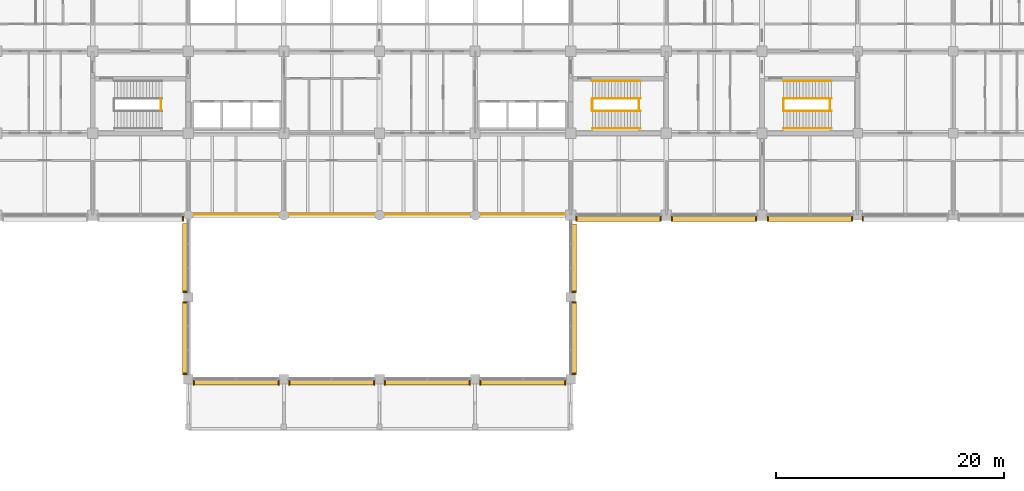
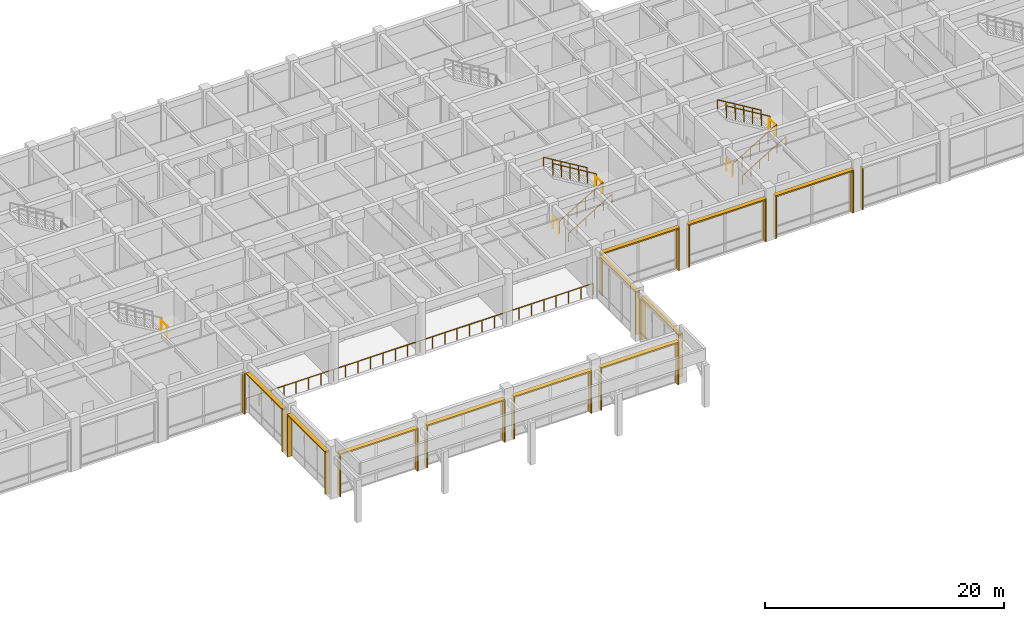
# One storey, part 65 of 68: 33 shading devices, 14 railings.
"""IFC4 building model written with IfcOpenShell, lengths in metres."""

from ifc_helpers import new_model, si_unit, direction, frame, origin, origin_2d, place, context, subcontext, project, spatial, rectangle, circle, extrude, material, type_object, element, save


model = new_model("IFC4")

# Units and contexts
model_context = context("Model", 3, precision=1e-05, world=origin(), true_north=direction((0.0, 1.0)))
body_context = subcontext(model_context, "Body", "Model", "MODEL_VIEW")
ifc_project = project(units=[si_unit("LENGTHUNIT", "METRE"), si_unit("AREAUNIT", "SQUARE_METRE"), si_unit("VOLUMEUNIT", "CUBIC_METRE"), si_unit("PLANEANGLEUNIT", "RADIAN"), si_unit("MASSUNIT", "GRAM", prefix="KILO")], contexts=[model_context])

# Site, building, storey
site_placement = place(None, origin())
site = spatial("IfcSite", under=ifc_project, at=site_placement, CompositionType="ELEMENT")
building_placement = place(site_placement, origin())
building = spatial("IfcBuilding", under=site, at=building_placement, Name="Chengyuan Square Courthouse", CompositionType="ELEMENT")
storey_placement = place(building_placement, frame((0.0, 0.0, 5.39990234375)))
storey = spatial("IfcBuildingStorey", under=building, at=storey_placement, Name="L02", CompositionType="ELEMENT", Elevation=5.39990234375)

# Railings
ifc_material_1 = material(Name="Tempered Glass and Timber Top-Rail Balustrade", Category="wood")
railing_type_1 = type_object("IfcRailingType", Name="RL-02", PredefinedType="BALUSTRADE", material=ifc_material_1)
for number, where, name in (
    (1, (64.7900390625, 88.39990234375, 2.7001953125), "Stair Landing Guard ST-3-L02"),
    (2, (102.68994140625, 88.39990234375, 0.0), "Stair Floor Slot Guard ST-4 L02"),
    (3, (106.7900390625, 88.39990234375, 2.7001953125), "Stair Landing Guard ST-4-L02"),
):
    element("IfcRailing", number, at=place(storey_placement, frame(where)), inside=storey, type_object=railing_type_1, Name=name, PredefinedType="BALUSTRADE", context=body_context, shape_type="SweptSolid", body=[
        extrude(circle(Radius=0.02392578125, at=origin_2d()), frame((0.0, 0.0, 1.17578125), z_axis=(0.0, 1.0, 0.0), x_axis=(-1.0, 0.0, 0.0)), (0.0, 0.0, 1.0), 1.0),
        extrude(circle(Radius=0.02099609375, at=origin_2d()), origin(), (0.0, 0.0, 1.0), 1.15185546875),
        extrude(circle(Radius=0.02099609375, at=origin_2d()), frame((0.0, 1.0, 0.0)), (0.0, 0.0, 1.0), 1.15185546875),
    ])
railing_1_placement = place(storey_placement, frame((102.7099609375, 88.35009765625, 0.1689453125)))
element("IfcRailing", 4, at=railing_1_placement, inside=storey, type_object=railing_type_1, Name="Stair Flight 1 Guard ST-4-L02", PredefinedType="BALUSTRADE", context=body_context, shape_type="SweptSolid", body=[
    extrude(circle(Radius=0.02392578125, at=origin_2d()), frame((0.0, 0.0, 1.17578125), z_axis=(0.856476492594, 0.0, 0.516186030065), x_axis=(0.0, 1.0, 0.0)), (0.0, 0.0, 1.0), 4.90380859375),
    extrude(circle(Radius=0.02099609375, at=origin_2d()), origin(), (0.0, 0.0, 1.0), 1.15185546875),
    extrude(circle(Radius=0.02099609375, at=origin_2d()), frame((0.840087890625, 0.0, 0.50634765625)), (0.0, 0.0, 1.0), 1.15185546875),
    extrude(circle(Radius=0.02099609375, at=origin_2d()), frame((1.679931640625, 0.0, 1.012451171875)), (0.0, 0.0, 1.0), 1.15185546875),
    extrude(circle(Radius=0.02099609375, at=origin_2d()), frame((2.52001953125, 0.0, 1.518798828125)), (0.0, 0.0, 1.0), 1.15185546875),
    extrude(circle(Radius=0.02099609375, at=origin_2d()), frame((3.35986328125, 0.0, 2.02490234375)), (0.0, 0.0, 1.0), 1.15185546875),
    extrude(circle(Radius=0.02099609375, at=origin_2d()), frame((4.199951171875, 0.0, 2.53125)), (0.0, 0.0, 1.0), 1.15185546875),
])
railing_2_placement = place(storey_placement, frame((106.909912109375, 89.449951171875, 2.868896484375)))
element("IfcRailing", 5, at=railing_2_placement, inside=storey, type_object=railing_type_1, Name="Stair Flight 2 Guard ST-4-L02", PredefinedType="BALUSTRADE", context=body_context, shape_type="SweptSolid", body=[
    extrude(circle(Radius=0.02392578125, at=origin_2d()), frame((0.0, 0.0, 1.17578125), z_axis=(-0.856476492594, 0.0, 0.516186030065), x_axis=(0.0, -1.0, 0.0)), (0.0, 0.0, 1.0), 4.90380859375),
    extrude(circle(Radius=0.02099609375, at=origin_2d()), origin(), (0.0, 0.0, 1.0), 1.15185546875),
    extrude(circle(Radius=0.02099609375, at=origin_2d()), frame((-0.840087890625, 0.0, 0.50634765625)), (0.0, 0.0, 1.0), 1.15185546875),
    extrude(circle(Radius=0.02099609375, at=origin_2d()), frame((-1.679931640625, 0.0, 1.012451171875)), (0.0, 0.0, 1.0), 1.15185546875),
    extrude(circle(Radius=0.02099609375, at=origin_2d()), frame((-2.52001953125, 0.0, 1.518798828125)), (0.0, 0.0, 1.0), 1.15185546875),
    extrude(circle(Radius=0.02099609375, at=origin_2d()), frame((-3.35986328125, 0.0, 2.02490234375)), (0.0, 0.0, 1.0), 1.15185546875),
    extrude(circle(Radius=0.02099609375, at=origin_2d()), frame((-4.199951171875, 0.0, 2.53125)), (0.0, 0.0, 1.0), 1.15185546875),
])
for number, where, name in (
    (6, (119.489990234375, 88.39990234375, 0.0), "Stair Floor Slot Guard ST-6 L02"),
    (7, (123.590087890625, 88.39990234375, 2.7001953125), "Stair Landing Guard ST-6-L02"),
):
    element("IfcRailing", number, at=place(storey_placement, frame(where)), inside=storey, type_object=railing_type_1, Name=name, PredefinedType="BALUSTRADE", context=body_context, shape_type="SweptSolid", body=[
        extrude(circle(Radius=0.02392578125, at=origin_2d()), frame((0.0, 0.0, 1.17578125), z_axis=(0.0, 1.0, 0.0), x_axis=(-1.0, 0.0, 0.0)), (0.0, 0.0, 1.0), 1.0),
        extrude(circle(Radius=0.02099609375, at=origin_2d()), origin(), (0.0, 0.0, 1.0), 1.15185546875),
        extrude(circle(Radius=0.02099609375, at=origin_2d()), frame((0.0, 1.0, 0.0)), (0.0, 0.0, 1.0), 1.15185546875),
    ])
railing_3_placement = place(storey_placement, frame((119.510009765625, 88.35009765625, 0.1689453125)))
element("IfcRailing", 8, at=railing_3_placement, inside=storey, type_object=railing_type_1, Name="Stair Flight 1 Guard ST-6-L02", PredefinedType="BALUSTRADE", context=body_context, shape_type="SweptSolid", body=[
    extrude(circle(Radius=0.02392578125, at=origin_2d()), frame((0.0, 0.0, 1.17578125), z_axis=(0.856476492594, 0.0, 0.516186030065), x_axis=(0.0, 1.0, 0.0)), (0.0, 0.0, 1.0), 4.90380859375),
    extrude(circle(Radius=0.02099609375, at=origin_2d()), origin(), (0.0, 0.0, 1.0), 1.15185546875),
    extrude(circle(Radius=0.02099609375, at=origin_2d()), frame((0.840087890625, 0.0, 0.50634765625)), (0.0, 0.0, 1.0), 1.15185546875),
    extrude(circle(Radius=0.02099609375, at=origin_2d()), frame((1.679931640625, 0.0, 1.012451171875)), (0.0, 0.0, 1.0), 1.15185546875),
    extrude(circle(Radius=0.02099609375, at=origin_2d()), frame((2.52001953125, 0.0, 1.518798828125)), (0.0, 0.0, 1.0), 1.15185546875),
    extrude(circle(Radius=0.02099609375, at=origin_2d()), frame((3.35986328125, 0.0, 2.02490234375)), (0.0, 0.0, 1.0), 1.15185546875),
    extrude(circle(Radius=0.02099609375, at=origin_2d()), frame((4.199951171875, 0.0, 2.53125)), (0.0, 0.0, 1.0), 1.15185546875),
])
railing_4_placement = place(storey_placement, frame((123.7099609375, 89.449951171875, 2.868896484375)))
element("IfcRailing", 9, at=railing_4_placement, inside=storey, type_object=railing_type_1, Name="Stair Flight 2 Guard ST-6-L02", PredefinedType="BALUSTRADE", context=body_context, shape_type="SweptSolid", body=[
    extrude(circle(Radius=0.02392578125, at=origin_2d()), frame((0.0, 0.0, 1.17578125), z_axis=(-0.856476492594, 0.0, 0.516186030065), x_axis=(0.0, -1.0, 0.0)), (0.0, 0.0, 1.0), 4.90380859375),
    extrude(circle(Radius=0.02099609375, at=origin_2d()), origin(), (0.0, 0.0, 1.0), 1.15185546875),
    extrude(circle(Radius=0.02099609375, at=origin_2d()), frame((-0.840087890625, 0.0, 0.50634765625)), (0.0, 0.0, 1.0), 1.15185546875),
    extrude(circle(Radius=0.02099609375, at=origin_2d()), frame((-1.679931640625, 0.0, 1.012451171875)), (0.0, 0.0, 1.0), 1.15185546875),
    extrude(circle(Radius=0.02099609375, at=origin_2d()), frame((-2.52001953125, 0.0, 1.518798828125)), (0.0, 0.0, 1.0), 1.15185546875),
    extrude(circle(Radius=0.02099609375, at=origin_2d()), frame((-3.35986328125, 0.0, 2.02490234375)), (0.0, 0.0, 1.0), 1.15185546875),
    extrude(circle(Radius=0.02099609375, at=origin_2d()), frame((-4.199951171875, 0.0, 2.53125)), (0.0, 0.0, 1.0), 1.15185546875),
])
railing_5_placement = place(storey_placement, frame((67.25, 79.280029296875, 0.0)))
element("IfcRailing", 10, at=railing_5_placement, inside=storey, type_object=railing_type_1, Name="Wintergarden Atrium Overlook Balustrade L02", PredefinedType="BALUSTRADE", context=body_context, shape_type="SweptSolid", body=[
    extrude(circle(Radius=0.02392578125, at=origin_2d()), frame((0.0, 0.0, 1.17578125), z_axis=(1.0, 0.0, 0.0), x_axis=(0.0, 1.0, 0.0)), (0.0, 0.0, 1.0), 33.5),
    extrude(circle(Radius=0.02099609375, at=origin_2d()), origin(), (0.0, 0.0, 1.0), 1.15185546875),
    extrude(circle(Radius=0.02099609375, at=origin_2d()), frame((1.196533203125, 0.0, 0.0)), (0.0, 0.0, 1.0), 1.15185546875),
    extrude(circle(Radius=0.02099609375, at=origin_2d()), frame((2.392822265625, 0.0, 0.0)), (0.0, 0.0, 1.0), 1.15185546875),
    extrude(circle(Radius=0.02099609375, at=origin_2d()), frame((3.58935546875, 0.0, 0.0)), (0.0, 0.0, 1.0), 1.15185546875),
    extrude(circle(Radius=0.02099609375, at=origin_2d()), frame((4.78564453125, 0.0, 0.0)), (0.0, 0.0, 1.0), 1.15185546875),
    extrude(circle(Radius=0.02099609375, at=origin_2d()), frame((5.982177734375, 0.0, 0.0)), (0.0, 0.0, 1.0), 1.15185546875),
    extrude(circle(Radius=0.02099609375, at=origin_2d()), frame((7.178466796875, 0.0, 0.0)), (0.0, 0.0, 1.0), 1.15185546875),
    extrude(circle(Radius=0.02099609375, at=origin_2d()), frame((8.375, 0.0, 0.0)), (0.0, 0.0, 1.0), 1.15185546875),
    extrude(circle(Radius=0.02099609375, at=origin_2d()), frame((9.571533203125, 0.0, 0.0)), (0.0, 0.0, 1.0), 1.15185546875),
    extrude(circle(Radius=0.02099609375, at=origin_2d()), frame((10.767822265625, 0.0, 0.0)), (0.0, 0.0, 1.0), 1.15185546875),
    extrude(circle(Radius=0.02099609375, at=origin_2d()), frame((11.96435546875, 0.0, 0.0)), (0.0, 0.0, 1.0), 1.15185546875),
    extrude(circle(Radius=0.02099609375, at=origin_2d()), frame((13.16064453125, 0.0, 0.0)), (0.0, 0.0, 1.0), 1.15185546875),
    extrude(circle(Radius=0.02099609375, at=origin_2d()), frame((14.357177734375, 0.0, 0.0)), (0.0, 0.0, 1.0), 1.15185546875),
    extrude(circle(Radius=0.02099609375, at=origin_2d()), frame((15.553466796875, 0.0, 0.0)), (0.0, 0.0, 1.0), 1.15185546875),
    extrude(circle(Radius=0.02099609375, at=origin_2d()), frame((16.75, 0.0, 0.0)), (0.0, 0.0, 1.0), 1.15185546875),
    extrude(circle(Radius=0.02099609375, at=origin_2d()), frame((17.946533203125, 0.0, 0.0)), (0.0, 0.0, 1.0), 1.15185546875),
    extrude(circle(Radius=0.02099609375, at=origin_2d()), frame((19.142822265625, 0.0, 0.0)), (0.0, 0.0, 1.0), 1.15185546875),
    extrude(circle(Radius=0.02099609375, at=origin_2d()), frame((20.33935546875, 0.0, 0.0)), (0.0, 0.0, 1.0), 1.15185546875),
    extrude(circle(Radius=0.02099609375, at=origin_2d()), frame((21.53564453125, 0.0, 0.0)), (0.0, 0.0, 1.0), 1.15185546875),
    extrude(circle(Radius=0.02099609375, at=origin_2d()), frame((22.732177734375, 0.0, 0.0)), (0.0, 0.0, 1.0), 1.15185546875),
    extrude(circle(Radius=0.02099609375, at=origin_2d()), frame((23.928466796875, 0.0, 0.0)), (0.0, 0.0, 1.0), 1.15185546875),
    extrude(circle(Radius=0.02099609375, at=origin_2d()), frame((25.125, 0.0, 0.0)), (0.0, 0.0, 1.0), 1.15185546875),
    extrude(circle(Radius=0.02099609375, at=origin_2d()), frame((26.321533203125, 0.0, 0.0)), (0.0, 0.0, 1.0), 1.15185546875),
    extrude(circle(Radius=0.02099609375, at=origin_2d()), frame((27.517822265625, 0.0, 0.0)), (0.0, 0.0, 1.0), 1.15185546875),
    extrude(circle(Radius=0.02099609375, at=origin_2d()), frame((28.71435546875, 0.0, 0.0)), (0.0, 0.0, 1.0), 1.15185546875),
    extrude(circle(Radius=0.02099609375, at=origin_2d()), frame((29.91064453125, 0.0, 0.0)), (0.0, 0.0, 1.0), 1.15185546875),
    extrude(circle(Radius=0.02099609375, at=origin_2d()), frame((31.107177734375, 0.0, 0.0)), (0.0, 0.0, 1.0), 1.15185546875),
    extrude(circle(Radius=0.02099609375, at=origin_2d()), frame((32.303466796875, 0.0, 0.0)), (0.0, 0.0, 1.0), 1.15185546875),
    extrude(circle(Radius=0.02099609375, at=origin_2d()), frame((33.5, 0.0, 0.0)), (0.0, 0.0, 1.0), 1.15185546875),
])
ifc_material_2 = material(Name="Stainless Steel S30408 Stair Handrail", Category="steel")
railing_type_2 = type_object("IfcRailingType", Name="RL-04", PredefinedType="HANDRAIL", material=ifc_material_2)
railing_6_placement = place(storey_placement, frame((102.7099609375, 86.820068359375, 0.1689453125)))
element("IfcRailing", 11, at=railing_6_placement, inside=storey, type_object=railing_type_2, Name="Stair Flight 1 Handrail ST-4-L02", PredefinedType="HANDRAIL", context=body_context, shape_type="SweptSolid", body=[
    extrude(circle(Radius=0.02392578125, at=origin_2d()), frame((0.0, 0.0, 0.8759765625), z_axis=(0.856476492594, 0.0, 0.516186030065), x_axis=(0.0, 1.0, 0.0)), (0.0, 0.0, 1.0), 4.90380859375),
    extrude(circle(Radius=0.02099609375, at=origin_2d()), origin(), (0.0, 0.0, 1.0), 0.851806640625),
    extrude(circle(Radius=0.02099609375, at=origin_2d()), frame((0.840087890625, 0.0, 0.50634765625)), (0.0, 0.0, 1.0), 0.851806640625),
    extrude(circle(Radius=0.02099609375, at=origin_2d()), frame((1.679931640625, 0.0, 1.012451171875)), (0.0, 0.0, 1.0), 0.851806640625),
    extrude(circle(Radius=0.02099609375, at=origin_2d()), frame((2.52001953125, 0.0, 1.518798828125)), (0.0, 0.0, 1.0), 0.851806640625),
    extrude(circle(Radius=0.02099609375, at=origin_2d()), frame((3.35986328125, 0.0, 2.02490234375)), (0.0, 0.0, 1.0), 0.851806640625),
    extrude(circle(Radius=0.02099609375, at=origin_2d()), frame((4.199951171875, 0.0, 2.53125)), (0.0, 0.0, 1.0), 0.851806640625),
])
railing_7_placement = place(storey_placement, frame((106.909912109375, 90.97998046875, 2.868896484375)))
element("IfcRailing", 12, at=railing_7_placement, inside=storey, type_object=railing_type_2, Name="Stair Flight 2 Handrail ST-4-L02", PredefinedType="HANDRAIL", context=body_context, shape_type="SweptSolid", body=[
    extrude(circle(Radius=0.02392578125, at=origin_2d()), frame((0.0, 0.0, 0.8759765625), z_axis=(-0.856476492594, 0.0, 0.516186030065), x_axis=(0.0, -1.0, 0.0)), (0.0, 0.0, 1.0), 4.90380859375),
    extrude(circle(Radius=0.02099609375, at=origin_2d()), origin(), (0.0, 0.0, 1.0), 0.851806640625),
    extrude(circle(Radius=0.02099609375, at=origin_2d()), frame((-0.840087890625, 0.0, 0.50634765625)), (0.0, 0.0, 1.0), 0.851806640625),
    extrude(circle(Radius=0.02099609375, at=origin_2d()), frame((-1.679931640625, 0.0, 1.012451171875)), (0.0, 0.0, 1.0), 0.851806640625),
    extrude(circle(Radius=0.02099609375, at=origin_2d()), frame((-2.52001953125, 0.0, 1.518798828125)), (0.0, 0.0, 1.0), 0.851806640625),
    extrude(circle(Radius=0.02099609375, at=origin_2d()), frame((-3.35986328125, 0.0, 2.02490234375)), (0.0, 0.0, 1.0), 0.851806640625),
    extrude(circle(Radius=0.02099609375, at=origin_2d()), frame((-4.199951171875, 0.0, 2.53125)), (0.0, 0.0, 1.0), 0.851806640625),
])
railing_8_placement = place(storey_placement, frame((119.510009765625, 86.820068359375, 0.1689453125)))
element("IfcRailing", 13, at=railing_8_placement, inside=storey, type_object=railing_type_2, Name="Stair Flight 1 Handrail ST-6-L02", PredefinedType="HANDRAIL", context=body_context, shape_type="SweptSolid", body=[
    extrude(circle(Radius=0.02392578125, at=origin_2d()), frame((0.0, 0.0, 0.8759765625), z_axis=(0.856476492594, 0.0, 0.516186030065), x_axis=(0.0, 1.0, 0.0)), (0.0, 0.0, 1.0), 4.90380859375),
    extrude(circle(Radius=0.02099609375, at=origin_2d()), origin(), (0.0, 0.0, 1.0), 0.851806640625),
    extrude(circle(Radius=0.02099609375, at=origin_2d()), frame((0.840087890625, 0.0, 0.50634765625)), (0.0, 0.0, 1.0), 0.851806640625),
    extrude(circle(Radius=0.02099609375, at=origin_2d()), frame((1.679931640625, 0.0, 1.012451171875)), (0.0, 0.0, 1.0), 0.851806640625),
    extrude(circle(Radius=0.02099609375, at=origin_2d()), frame((2.52001953125, 0.0, 1.518798828125)), (0.0, 0.0, 1.0), 0.851806640625),
    extrude(circle(Radius=0.02099609375, at=origin_2d()), frame((3.35986328125, 0.0, 2.02490234375)), (0.0, 0.0, 1.0), 0.851806640625),
    extrude(circle(Radius=0.02099609375, at=origin_2d()), frame((4.199951171875, 0.0, 2.53125)), (0.0, 0.0, 1.0), 0.851806640625),
])
railing_9_placement = place(storey_placement, frame((123.7099609375, 90.97998046875, 2.868896484375)))
element("IfcRailing", 14, at=railing_9_placement, inside=storey, type_object=railing_type_2, Name="Stair Flight 2 Handrail ST-6-L02", PredefinedType="HANDRAIL", context=body_context, shape_type="SweptSolid", body=[
    extrude(circle(Radius=0.02392578125, at=origin_2d()), frame((0.0, 0.0, 0.8759765625), z_axis=(-0.856476492594, 0.0, 0.516186030065), x_axis=(0.0, -1.0, 0.0)), (0.0, 0.0, 1.0), 4.90380859375),
    extrude(circle(Radius=0.02099609375, at=origin_2d()), origin(), (0.0, 0.0, 1.0), 0.851806640625),
    extrude(circle(Radius=0.02099609375, at=origin_2d()), frame((-0.840087890625, 0.0, 0.50634765625)), (0.0, 0.0, 1.0), 0.851806640625),
    extrude(circle(Radius=0.02099609375, at=origin_2d()), frame((-1.679931640625, 0.0, 1.012451171875)), (0.0, 0.0, 1.0), 0.851806640625),
    extrude(circle(Radius=0.02099609375, at=origin_2d()), frame((-2.52001953125, 0.0, 1.518798828125)), (0.0, 0.0, 1.0), 0.851806640625),
    extrude(circle(Radius=0.02099609375, at=origin_2d()), frame((-3.35986328125, 0.0, 2.02490234375)), (0.0, 0.0, 1.0), 0.851806640625),
    extrude(circle(Radius=0.02099609375, at=origin_2d()), frame((-4.199951171875, 0.0, 2.53125)), (0.0, 0.0, 1.0), 0.851806640625),
])

# Shading devices
ifc_material_3 = material(Name="Glulam TCt28 Solar Shading Fin", Category="wood")
shading_device_type_1 = type_object("IfcShadingDeviceType", Name="SHD-01", PredefinedType="JALOUSIE", material=ifc_material_3)
for number, where, z_axis, x_axis, name in (
    (15, (66.735107421875, 78.887939453125, 0.0400390625), (0.0, 0.0, 1.0), (0.0, 1.0, 0.0), "Glulam Solar Fin SHD-L02-0199"),
    (16, (67.6650390625, 64.488037109375, 0.0400390625), (0.0, 0.0, 1.0), (0.0, 1.0, 0.0), "Glulam Solar Fin SHD-L02-0201"),
    (17, (75.135009765625, 64.488037109375, 0.0400390625), (0.0, 0.0, 1.0), (0.0, 1.0, 0.0), "Glulam Solar Fin SHD-L02-0202"),
    (18, (66.91796875, 65.2548828125, 0.0400390625), (0.0, 0.0, 1.0), (1.0, 0.0, 0.0), "Glulam Solar Fin SHD-L02-0204"),
    (19, (66.91796875, 71.544921875, 0.0400390625), (0.0, 0.0, 1.0), (1.0, 0.0, 0.0), "Glulam Solar Fin SHD-L02-0205"),
    (20, (66.91796875, 72.455078125, 0.0400390625), (0.0, 0.0, 1.0), (1.0, 0.0, 0.0), "Glulam Solar Fin SHD-L02-0207"),
    (21, (76.06494140625, 64.488037109375, 0.0400390625), (0.0, 0.0, 1.0), (0.0, 1.0, 0.0), "Glulam Solar Fin SHD-L02-0209"),
    (22, (83.534912109375, 64.488037109375, 0.0400390625), (0.0, 0.0, 1.0), (0.0, 1.0, 0.0), "Glulam Solar Fin SHD-L02-0210"),
    (23, (84.465087890625, 64.488037109375, 0.0400390625), (0.0, 0.0, 1.0), (0.0, 1.0, 0.0), "Glulam Solar Fin SHD-L02-0212"),
    (24, (91.93505859375, 64.488037109375, 0.0400390625), (0.0, 0.0, 1.0), (0.0, 1.0, 0.0), "Glulam Solar Fin SHD-L02-0213"),
    (25, (92.864990234375, 64.488037109375, 0.0400390625), (0.0, 0.0, 1.0), (0.0, 1.0, 0.0), "Glulam Solar Fin SHD-L02-0215"),
    (26, (100.3349609375, 64.488037109375, 0.0400390625), (0.0, 0.0, 1.0), (0.0, 1.0, 0.0), "Glulam Solar Fin SHD-L02-0216"),
    (27, (101.08203125, 65.2548828125, 0.0400390625), (0.0, 0.0, 1.0), (1.0, 0.0, 0.0), "Glulam Solar Fin SHD-L02-0218"),
    (28, (101.08203125, 71.544921875, 0.0400390625), (0.0, 0.0, 1.0), (1.0, 0.0, 0.0), "Glulam Solar Fin SHD-L02-0219"),
    (29, (101.08203125, 72.455078125, 0.0400390625), (0.0, 0.0, 1.0), (1.0, 0.0, 0.0), "Glulam Solar Fin SHD-L02-0221"),
    (30, (101.2900390625, 78.887939453125, 0.0400390625), (0.0, 0.0, 1.0), (0.0, 1.0, 0.0), "Glulam Solar Fin SHD-L02-0223"),
    (31, (108.7099609375, 78.887939453125, 0.0400390625), (0.0, 0.0, 1.0), (0.0, 1.0, 0.0), "Glulam Solar Fin SHD-L02-0224"),
    (32, (109.68994140625, 78.887939453125, 0.0400390625), (0.0, 0.0, 1.0), (0.0, 1.0, 0.0), "Glulam Solar Fin SHD-L02-0226"),
    (33, (117.110107421875, 78.887939453125, 0.0400390625), (0.0, 0.0, 1.0), (0.0, 1.0, 0.0), "Glulam Solar Fin SHD-L02-0227"),
    (34, (118.090087890625, 78.887939453125, 0.0400390625), (0.0, 0.0, 1.0), (0.0, 1.0, 0.0), "Glulam Solar Fin SHD-L02-0230"),
    (35, (125.534912109375, 78.887939453125, 0.0400390625), (0.0, 0.0, 1.0), (0.0, 1.0, 0.0), "Glulam Solar Fin SHD-L02-0231"),
    (36, (126.465087890625, 78.887939453125, 0.0400390625), (0.0, 0.0, 1.0), (0.0, 1.0, 0.0), "Glulam Solar Fin SHD-L02-0233"),
):
    element("IfcShadingDevice", number, at=place(storey_placement, frame(where, z_axis=z_axis, x_axis=x_axis)), inside=storey, type_object=shading_device_type_1, Name=name, PredefinedType="JALOUSIE", context=body_context, shape_type="SweptSolid", body=[
        extrude(rectangle(XDim=0.419921875, YDim=0.094970703125, at=origin_2d()), origin(), (0.0, 0.0, 1.0), 4.260009765625),
    ])
ifc_material_4 = material(Name="Glulam TCt28 Sunshade Louvre", Category="wood")
shading_device_type_2 = type_object("IfcShadingDeviceType", Name="SHD-02", PredefinedType="AWNING", material=ifc_material_4)
shading_device_1_placement = place(storey_placement, frame((71.39990234375, 64.488037109375, 4.30029296875), z_axis=(0.0, 0.0, 1.0), x_axis=(1.0, 0.0, 0.0)))
element("IfcShadingDevice", 37, at=shading_device_1_placement, inside=storey, type_object=shading_device_type_2, Name="Glulam Sunshade Louvre SHD-L02-0203", PredefinedType="AWNING", context=body_context, shape_type="SweptSolid", body=[
    extrude(rectangle(XDim=7.550048828125, YDim=0.43994140625, at=origin_2d()), origin(), (0.0, 0.0, 1.0), 0.139892578125),
])
shading_device_2_placement = place(storey_placement, frame((66.91796875, 68.39990234375, 4.30029296875), z_axis=(0.0, 0.0, 1.0), x_axis=(0.0, 1.0, 0.0)))
element("IfcShadingDevice", 38, at=shading_device_2_placement, inside=storey, type_object=shading_device_type_2, Name="Glulam Sunshade Louvre SHD-L02-0206", PredefinedType="AWNING", context=body_context, shape_type="SweptSolid", body=[
    extrude(rectangle(XDim=6.35009765625, YDim=0.43994140625, at=origin_2d()), origin(), (0.0, 0.0, 1.0), 0.139892578125),
])
shading_device_3_placement = place(storey_placement, frame((66.91796875, 75.449951171875, 4.30029296875), z_axis=(0.0, 0.0, 1.0), x_axis=(0.0, 1.0, 0.0)))
element("IfcShadingDevice", 39, at=shading_device_3_placement, inside=storey, type_object=shading_device_type_2, Name="Glulam Sunshade Louvre SHD-L02-0208", PredefinedType="AWNING", context=body_context, shape_type="SweptSolid", body=[
    extrude(rectangle(XDim=6.050048828125, YDim=0.43994140625, at=origin_2d()), origin(), (0.0, 0.0, 1.0), 0.139892578125),
])
for number, where, z_axis, x_axis, name in (
    (40, (79.800048828125, 64.488037109375, 4.30029296875), (0.0, 0.0, 1.0), (1.0, 0.0, 0.0), "Glulam Sunshade Louvre SHD-L02-0211"),
    (41, (88.199951171875, 64.488037109375, 4.30029296875), (0.0, 0.0, 1.0), (1.0, 0.0, 0.0), "Glulam Sunshade Louvre SHD-L02-0214"),
    (42, (96.60009765625, 64.488037109375, 4.30029296875), (0.0, 0.0, 1.0), (1.0, 0.0, 0.0), "Glulam Sunshade Louvre SHD-L02-0217"),
):
    element("IfcShadingDevice", number, at=place(storey_placement, frame(where, z_axis=z_axis, x_axis=x_axis)), inside=storey, type_object=shading_device_type_2, Name=name, PredefinedType="AWNING", context=body_context, shape_type="SweptSolid", body=[
        extrude(rectangle(XDim=7.550048828125, YDim=0.43994140625, at=origin_2d()), origin(), (0.0, 0.0, 1.0), 0.139892578125),
    ])
shading_device_4_placement = place(storey_placement, frame((101.08203125, 68.39990234375, 4.30029296875), z_axis=(0.0, 0.0, 1.0), x_axis=(0.0, 1.0, 0.0)))
element("IfcShadingDevice", 43, at=shading_device_4_placement, inside=storey, type_object=shading_device_type_2, Name="Glulam Sunshade Louvre SHD-L02-0220", PredefinedType="AWNING", context=body_context, shape_type="SweptSolid", body=[
    extrude(rectangle(XDim=6.35009765625, YDim=0.43994140625, at=origin_2d()), origin(), (0.0, 0.0, 1.0), 0.139892578125),
])
shading_device_5_placement = place(storey_placement, frame((101.08203125, 75.4375, 4.30029296875), z_axis=(0.0, 0.0, 1.0), x_axis=(0.0, 1.0, 0.0)))
element("IfcShadingDevice", 44, at=shading_device_5_placement, inside=storey, type_object=shading_device_type_2, Name="Glulam Sunshade Louvre SHD-L02-0222", PredefinedType="AWNING", context=body_context, shape_type="SweptSolid", body=[
    extrude(rectangle(XDim=6.02490234375, YDim=0.43994140625, at=origin_2d()), origin(), (0.0, 0.0, 1.0), 0.139892578125),
])
for number, where, z_axis, x_axis, name in (
    (45, (105.0, 78.887939453125, 4.30029296875), (0.0, 0.0, 1.0), (1.0, 0.0, 0.0), "Glulam Sunshade Louvre SHD-L02-0225"),
    (46, (113.39990234375, 78.887939453125, 4.30029296875), (0.0, 0.0, 1.0), (1.0, 0.0, 0.0), "Glulam Sunshade Louvre SHD-L02-0228"),
):
    element("IfcShadingDevice", number, at=place(storey_placement, frame(where, z_axis=z_axis, x_axis=x_axis)), inside=storey, type_object=shading_device_type_2, Name=name, PredefinedType="AWNING", context=body_context, shape_type="SweptSolid", body=[
        extrude(rectangle(XDim=7.5, YDim=0.43994140625, at=origin_2d()), origin(), (0.0, 0.0, 1.0), 0.139892578125),
    ])
shading_device_6_placement = place(storey_placement, frame((121.8125, 78.887939453125, 4.30029296875), z_axis=(0.0, 0.0, 1.0), x_axis=(1.0, 0.0, 0.0)))
element("IfcShadingDevice", 47, at=shading_device_6_placement, inside=storey, type_object=shading_device_type_2, Name="Glulam Sunshade Louvre SHD-L02-0232", PredefinedType="AWNING", context=body_context, shape_type="SweptSolid", body=[
    extrude(rectangle(XDim=7.52490234375, YDim=0.43994140625, at=origin_2d()), origin(), (0.0, 0.0, 1.0), 0.139892578125),
])

save(model, "model.ifc")
